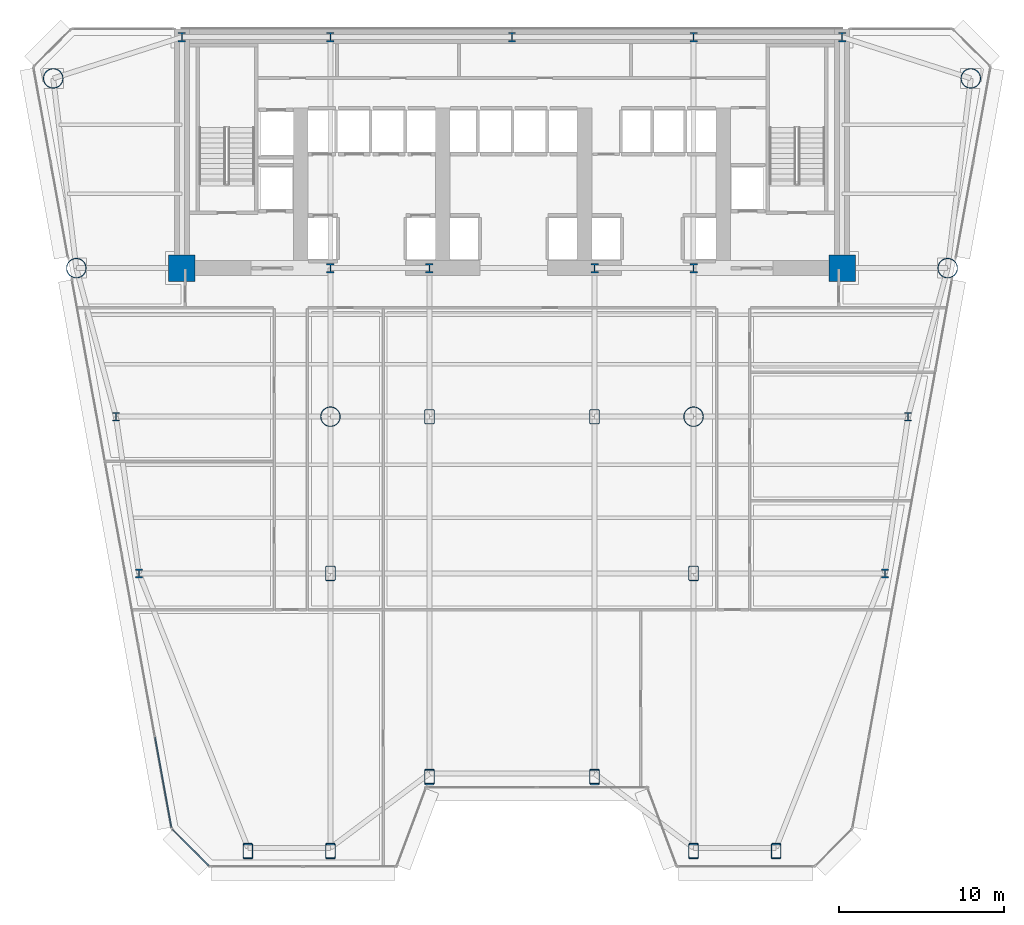
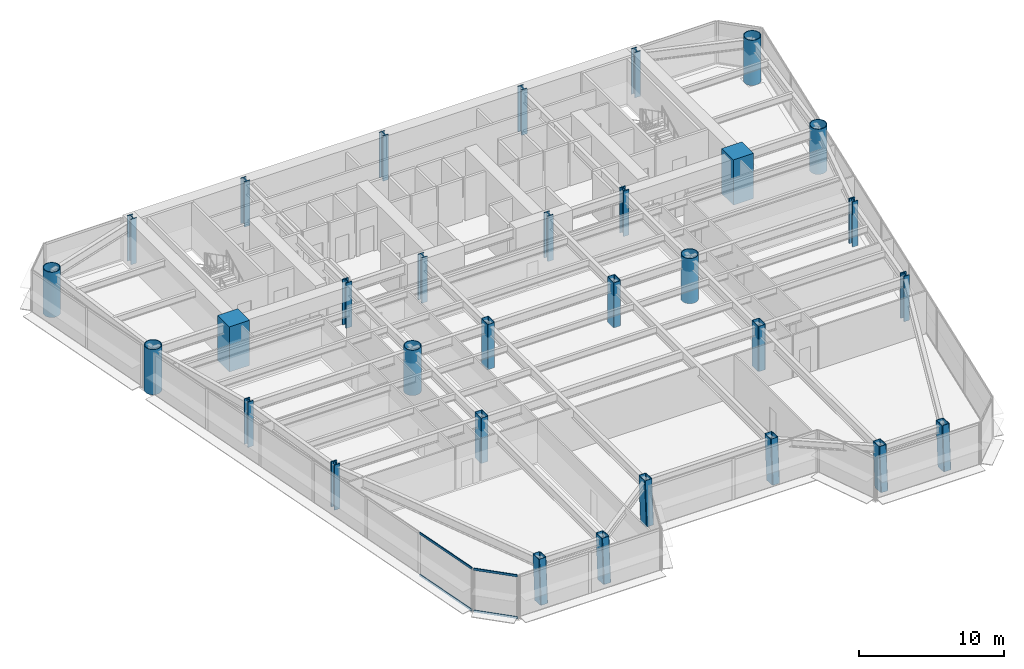
# One storey, part 1 of 14: 31 columns, 4 members, 2 elements without a shape of their own.
"""IFC4 building model written with IfcOpenShell, lengths in metres."""

from ifc_helpers import new_model, si_unit, direction, frame, origin, origin_2d, place, context, subcontext, project, spatial, rectangle, hollow_rectangle, hollow_circle, i_section, extrude, source, transform, mapped, material, layer, layer_set, material_profile, profile_set, type_object, element, aggregate, save


model = new_model("IFC4")

# Units and contexts
model_context = context("Model", 3, precision=1e-05, world=origin(), true_north=direction((0.0, 1.0)))
body_context = subcontext(model_context, "Body", "Model", "MODEL_VIEW")
ifc_project = project(units=[si_unit("LENGTHUNIT", "METRE"), si_unit("AREAUNIT", "SQUARE_METRE"), si_unit("VOLUMEUNIT", "CUBIC_METRE"), si_unit("PLANEANGLEUNIT", "RADIAN"), si_unit("MASSUNIT", "GRAM", prefix="KILO")], contexts=[model_context])

# Site, building, storey
site_placement = place(None, origin())
site = spatial("IfcSite", under=ifc_project, at=site_placement, CompositionType="ELEMENT")
building_placement = place(site_placement, origin())
building = spatial("IfcBuilding", under=site, at=building_placement, Name="Vaeldorn Concourse Tower", CompositionType="ELEMENT")
storey_placement = place(building_placement, frame((0.0, 0.0, 22.60009765625)))
storey = spatial("IfcBuildingStorey", under=building, at=storey_placement, Name="L05", CompositionType="ELEMENT", Elevation=22.60009765625)

# Columns
ifc_material_1 = material(Name="Concrete C60/75", Category="concrete")
ifc_material_profile_1 = material_profile(ifc_material_1, rectangle(XDim=1.60009765625, YDim=1.60009765625, at=origin_2d()), Name="RC 1600x1600")
ifc_profile_set_1 = profile_set([ifc_material_profile_1], Name="Concrete C60/75")
column_type_1 = type_object("IfcColumnType", Name="COL-RC1600", PredefinedType="COLUMN", material=ifc_profile_set_1)
shared_shape_1 = source(origin(), body_context, "Body", "SweptSolid", [
    extrude(rectangle(XDim=1.60009765625, YDim=1.60009765625, at=origin_2d()), origin(), (0.0, 0.0, 1.0), 3.7998046875),
])
for number, where, z_axis, x_axis, name in (
    (1, (14.0, 36.5, 0.0), (0.0, 0.0, 1.0), (1.0, 0.0, 0.0), "Column C-FC1 L05"),
    (2, (54.0, 36.5, 0.0), (0.0, 0.0, 1.0), (1.0, 0.0, 0.0), "Column C-FC6 L05"),
):
    element("IfcColumn", number, at=place(storey_placement, frame(where, z_axis=z_axis, x_axis=x_axis)), inside=storey, type_object=column_type_1, Name=name, PredefinedType="COLUMN", context=body_context, shape_type="MappedRepresentation", body=[
        mapped(shared_shape_1, transform((0.0, 0.0, 0.0), scale=1.0)),
    ])
ifc_material_2 = material(Name="Steel S460", Category="steel")
ifc_material_profile_2 = material_profile(ifc_material_2, i_section(OverallWidth=0.4541015625, OverallDepth=0.569091796875, WebThickness=0.077880859375, FlangeThickness=0.080078125, FilletRadius=0.014892578125, at=origin_2d()), Name="HD 400x1086")
ifc_profile_set_2 = profile_set([ifc_material_profile_2], Name="Steel S460")
column_type_2 = type_object("IfcColumnType", Name="COL-HD1086", PredefinedType="COLUMN", material=ifc_profile_set_2)
shared_shape_2 = source(origin(), body_context, "Body", "SweptSolid", [
    extrude(i_section(OverallWidth=0.4541015625, OverallDepth=0.569091796875, WebThickness=0.077880859375, FlangeThickness=0.080078125, FilletRadius=0.014892578125, at=origin_2d()), origin(), (0.0, 0.0, 1.0), 3.7998046875),
])
for number, where, z_axis, x_axis, name in (
    (3, (23.0, 36.5, 0.0), (0.0, 0.0, 1.0), (1.0, 0.0, 0.0), "Column C-FC2 L05"),
    (4, (29.0, 36.5, 0.0), (0.0, 0.0, 1.0), (1.0, 0.0, 0.0), "Column C-FC3 L05"),
    (5, (39.0, 36.5, 0.0), (0.0, 0.0, 1.0), (1.0, 0.0, 0.0), "Column C-FC4 L05"),
    (6, (45.0, 36.5, 0.0), (0.0, 0.0, 1.0), (1.0, 0.0, 0.0), "Column C-FC5 L05"),
    (7, (14.0, 50.5, 0.0), (0.0, 0.0, 1.0), (1.0, 0.0, 0.0), "Column C-HC1 L05"),
    (8, (23.0, 50.5, 0.0), (0.0, 0.0, 1.0), (1.0, 0.0, 0.0), "Column C-HC2 L05"),
    (9, (34.0, 50.5, 0.0), (0.0, 0.0, 1.0), (1.0, 0.0, 0.0), "Column C-HC3 L05"),
    (10, (45.0, 50.5, 0.0), (0.0, 0.0, 1.0), (1.0, 0.0, 0.0), "Column C-HC4 L05"),
    (11, (54.0, 50.5, 0.0), (0.0, 0.0, 1.0), (1.0, 0.0, 0.0), "Column C-HC5 L05"),
):
    element("IfcColumn", number, at=place(storey_placement, frame(where, z_axis=z_axis, x_axis=x_axis)), inside=storey, type_object=column_type_2, Name=name, PredefinedType="COLUMN", context=body_context, shape_type="MappedRepresentation", body=[
        mapped(shared_shape_2, transform((0.0, 0.0, 0.0), scale=1.0)),
    ])
ifc_material_profile_3 = material_profile(ifc_material_2, hollow_circle(Radius=0.609619140625, WallThickness=0.050048828125, at=origin_2d()), Name="CHS 1219x50")
ifc_profile_set_3 = profile_set([ifc_material_profile_3], Name="Steel S460")
column_type_3 = type_object("IfcColumnType", Name="COL-CHS1219", PredefinedType="COLUMN", material=ifc_profile_set_3)
shared_shape_3 = source(origin(), body_context, "Body", "SweptSolid", [
    extrude(hollow_circle(Radius=0.609619140625, WallThickness=0.050048828125, at=origin_2d()), origin(), (0.0, 0.0, 1.0), 3.7998046875),
])
for number, where, z_axis, x_axis, name in (
    (12, (6.199951171875, 48.0, 0.0), (0.0, 0.0, 1.0), (1.0, 0.0, 0.0), "Column C-NW1 L05"),
    (13, (7.60009765625, 36.5, 0.0), (0.0, 0.0, 1.0), (1.0, 0.0, 0.0), "Column C-NW2 L05"),
    (14, (61.800048828125, 48.0, 0.0), (0.0, 0.0, 1.0), (1.0, 0.0, 0.0), "Column C-NE1 L05"),
    (15, (60.39990234375, 36.5, 0.0), (0.0, 0.0, 1.0), (1.0, 0.0, 0.0), "Column C-NE2 L05"),
    (16, (23.0, 27.5, 0.0), (0.0, 0.0, 1.0), (1.0, 0.0, 0.0), "Column C-TW1 L05"),
    (17, (45.0, 27.5, 0.0), (0.0, 0.0, 1.0), (1.0, 0.0, 0.0), "Column C-TW4 L05"),
):
    element("IfcColumn", number, at=place(storey_placement, frame(where, z_axis=z_axis, x_axis=x_axis)), inside=storey, type_object=column_type_3, Name=name, PredefinedType="COLUMN", context=body_context, shape_type="MappedRepresentation", body=[
        mapped(shared_shape_3, transform((0.0, 0.0, 0.0), scale=1.0)),
    ])
ifc_material_profile_4 = material_profile(ifc_material_2, i_section(OverallWidth=0.44189453125, OverallDepth=0.531005859375, WebThickness=0.06494140625, FlangeThickness=0.075927734375, FilletRadius=0.014892578125, at=origin_2d()), Name="HD 400x900")
ifc_profile_set_4 = profile_set([ifc_material_profile_4], Name="Steel S460")
column_type_4 = type_object("IfcColumnType", Name="COL-HD900F", PredefinedType="COLUMN", material=ifc_profile_set_4)
shared_shape_4 = source(origin(), body_context, "Body", "SweptSolid", [
    extrude(i_section(OverallWidth=0.44189453125, OverallDepth=0.531005859375, WebThickness=0.06494140625, FlangeThickness=0.075927734375, FilletRadius=0.014892578125, at=origin_2d()), origin(), (0.0, 0.0, 1.0), 3.7998046875),
])
for number, where, z_axis, x_axis, name in (
    (18, (10.0, 27.5, 0.0), (0.0, 0.0, 1.0), (1.0, 0.0, 0.0), "Column C-FLW1 L05"),
    (19, (11.39990234375, 18.0, 0.0), (0.0, 0.0, 1.0), (1.0, 0.0, 0.0), "Column C-FLW2 L05"),
    (20, (58.0, 27.5, 0.0), (0.0, 0.0, 1.0), (1.0, 0.0, 0.0), "Column C-FLE1 L05"),
    (21, (56.60009765625, 18.0, 0.0), (0.0, 0.0, 1.0), (1.0, 0.0, 0.0), "Column C-FLE2 L05"),
):
    element("IfcColumn", number, at=place(storey_placement, frame(where, z_axis=z_axis, x_axis=x_axis)), inside=storey, type_object=column_type_4, Name=name, PredefinedType="COLUMN", context=body_context, shape_type="MappedRepresentation", body=[
        mapped(shared_shape_4, transform((0.0, 0.0, 0.0), scale=1.0)),
    ])
ifc_material_profile_5 = material_profile(ifc_material_2, hollow_rectangle(XDim=0.60009765625, YDim=0.89990234375, WallThickness=0.0400390625, InnerFilletRadius=0.0400390625, OuterFilletRadius=0.080078125, at=origin_2d()), Name="RHS 900x600x40")
ifc_profile_set_5 = profile_set([ifc_material_profile_5], Name="Steel S460")
column_type_5 = type_object("IfcColumnType", Name="COL-RHS900", PredefinedType="COLUMN", material=ifc_profile_set_5)
shared_shape_5 = source(origin(), body_context, "Body", "SweptSolid", [
    extrude(hollow_rectangle(XDim=0.60009765625, YDim=0.89990234375, WallThickness=0.0400390625, InnerFilletRadius=0.0400390625, OuterFilletRadius=0.080078125, at=origin_2d()), origin(), (0.0, 0.0, 1.0), 3.7998046875),
])
for number, where, z_axis, x_axis, name in (
    (22, (29.0, 27.5, 0.0), (0.0, 0.0, 1.0), (1.0, 0.0, 0.0), "Column C-TW2 L05"),
    (23, (39.0, 27.5, 0.0), (0.0, 0.0, 1.0), (1.0, 0.0, 0.0), "Column C-TW3 L05"),
    (24, (23.0, 18.0, 0.0), (0.0, 0.0, 1.0), (1.0, 0.0, 0.0), "Column C-TW5 L05"),
    (25, (45.0, 18.0, 0.0), (0.0, 0.0, 1.0), (1.0, 0.0, 0.0), "Column C-TW6 L05"),
):
    element("IfcColumn", number, at=place(storey_placement, frame(where, z_axis=z_axis, x_axis=x_axis)), inside=storey, type_object=column_type_5, Name=name, PredefinedType="COLUMN", context=body_context, shape_type="MappedRepresentation", body=[
        mapped(shared_shape_5, transform((0.0, 0.0, 0.0), scale=1.0)),
    ])
shared_shape_6 = source(origin(), body_context, "Body", "SweptSolid", [
    extrude(hollow_rectangle(XDim=0.60009765625, YDim=0.89990234375, WallThickness=0.0400390625, InnerFilletRadius=0.0400390625, OuterFilletRadius=0.080078125, at=origin_2d()), origin(), (0.0, 0.0, 1.0), 3.743408203125),
])
for number, where, z_axis, x_axis, name in (
    (26, (18.0, 1.13916015625, 0.031982421875), (0.0, 0.06384802516, 0.997959633293), (-1.0, 0.0, 0.0), "Column C-SF1 L05"),
    (27, (23.0, 1.13916015625, 0.031982421875), (0.0, 0.06384802516, 0.997959633293), (-1.0, 0.0, 0.0), "Column C-SF2 L05"),
    (28, (29.0, 5.63916015625, 0.031982421875), (0.0, 0.06384802516, 0.997959633293), (-1.0, 0.0, 0.0), "Column C-SF3 L05"),
    (29, (39.0, 5.63916015625, 0.031982421875), (0.0, 0.06384802516, 0.997959633293), (-1.0, 0.0, 0.0), "Column C-SF4 L05"),
    (30, (45.0, 1.13916015625, 0.031982421875), (0.0, 0.06384802516, 0.997959633293), (-1.0, 0.0, 0.0), "Column C-SF5 L05"),
    (31, (50.0, 1.13916015625, 0.031982421875), (0.0, 0.06384802516, 0.997959633293), (-1.0, 0.0, 0.0), "Column C-SF6 L05"),
):
    element("IfcColumn", number, at=place(storey_placement, frame(where, z_axis=z_axis, x_axis=x_axis)), inside=storey, type_object=column_type_5, Name=name, PredefinedType="COLUMN", context=body_context, shape_type="MappedRepresentation", body=[
        mapped(shared_shape_6, transform((0.0, 0.0, 0.0), scale=1.0)),
    ])

# Curtain wall, members
ifc_material_3 = material(Name="Anodised Bronze Aluminium", Category="aluminium")
ifc_layer = layer(ifc_material_3, 0.219970703125)
ifc_layer_set = layer_set([ifc_layer], Name="Anodised Bronze Aluminium")
curtain_wall_type = type_object("IfcCurtainWallType", Name="CW-SYS-01", PredefinedType="NOTDEFINED", material=ifc_layer_set)
curtain_wall_1_placement = place(storey_placement, origin())
curtain_wall_1 = element("IfcCurtainWall", 32, at=curtain_wall_1_placement, inside=storey, type_object=curtain_wall_type, Name="Unitised Curtain Wall CW-L05-E12-1", PredefinedType="NOTDEFINED")
ifc_material_profile_6 = material_profile(ifc_material_3, rectangle(XDim=0.074951171875, YDim=0.179931640625, at=origin_2d()), Name="CWT 75x180")
ifc_profile_set_6 = profile_set([ifc_material_profile_6], Name="Anodised Bronze Aluminium")
member_type = type_object("IfcMemberType", Name="CWT-BRONZE-180", PredefinedType="USERDEFINED", material=ifc_profile_set_6)
shared_shape_7 = source(origin(), body_context, "Body", "SweptSolid", [
    extrude(rectangle(XDim=0.074951171875, YDim=0.179931640625, at=origin_2d()), origin(), (0.0, 0.0, 1.0), 3.102783203125),
])
member_1_placement = place(storey_placement, frame((13.428466796875, 2.486083984375, 0.037353515625), z_axis=(0.707146122816, -0.707067437368, 0.0), x_axis=(0.707067437368, 0.707146122816, 0.0)))
member_1 = element("IfcMember", 33, at=member_1_placement, type_object=member_type, Name="CW-01 transom 1.1", ObjectType="TRANSOM", PredefinedType="USERDEFINED", context=body_context, shape_type="MappedRepresentation", body=[
    mapped(shared_shape_7, transform((0.0, 0.0, 0.0), scale=1.0)),
])
member_2_placement = place(storey_placement, frame((13.428466796875, 2.486083984375, 3.54248046875), z_axis=(0.707146122816, -0.707067437368, 0.0), x_axis=(0.707067437368, 0.707146122816, 0.0)))
member_2 = element("IfcMember", 34, at=member_2_placement, type_object=member_type, Name="CW-01 transom 1.2", ObjectType="TRANSOM", PredefinedType="USERDEFINED", context=body_context, shape_type="MappedRepresentation", body=[
    mapped(shared_shape_7, transform((0.0, 0.0, 0.0), scale=1.0)),
])
aggregate(curtain_wall_1, [member_1, member_2])

curtain_wall_2_placement = place(storey_placement, origin())
curtain_wall_2 = element("IfcCurtainWall", 35, at=curtain_wall_2_placement, inside=storey, type_object=curtain_wall_type, Name="Unitised Curtain Wall CW-L05-E11-2", PredefinedType="NOTDEFINED")
shared_shape_8 = source(origin(), body_context, "Body", "SweptSolid", [
    extrude(rectangle(XDim=0.074951171875, YDim=0.179931640625, at=origin_2d()), origin(), (0.0, 0.0, 1.0), 5.53515625),
])
member_3_placement = place(storey_placement, frame((12.3740234375, 8.05908203125, 0.037353515625), z_axis=(0.178501164082, -0.983939700602, 0.0), x_axis=(0.983939700602, 0.178501164082, 0.0)))
member_3 = element("IfcMember", 36, at=member_3_placement, type_object=member_type, Name="CW-01 transom 6.1", ObjectType="TRANSOM", PredefinedType="USERDEFINED", context=body_context, shape_type="MappedRepresentation", body=[
    mapped(shared_shape_8, transform((0.0, 0.0, 0.0), scale=1.0)),
])
member_4_placement = place(storey_placement, frame((12.3740234375, 8.05908203125, 3.54248046875), z_axis=(0.178501164082, -0.983939700602, 0.0), x_axis=(0.983939700602, 0.178501164082, 0.0)))
member_4 = element("IfcMember", 37, at=member_4_placement, type_object=member_type, Name="CW-01 transom 6.2", ObjectType="TRANSOM", PredefinedType="USERDEFINED", context=body_context, shape_type="MappedRepresentation", body=[
    mapped(shared_shape_8, transform((0.0, 0.0, 0.0), scale=1.0)),
])
aggregate(curtain_wall_2, [member_3, member_4])

save(model, "model.ifc")
